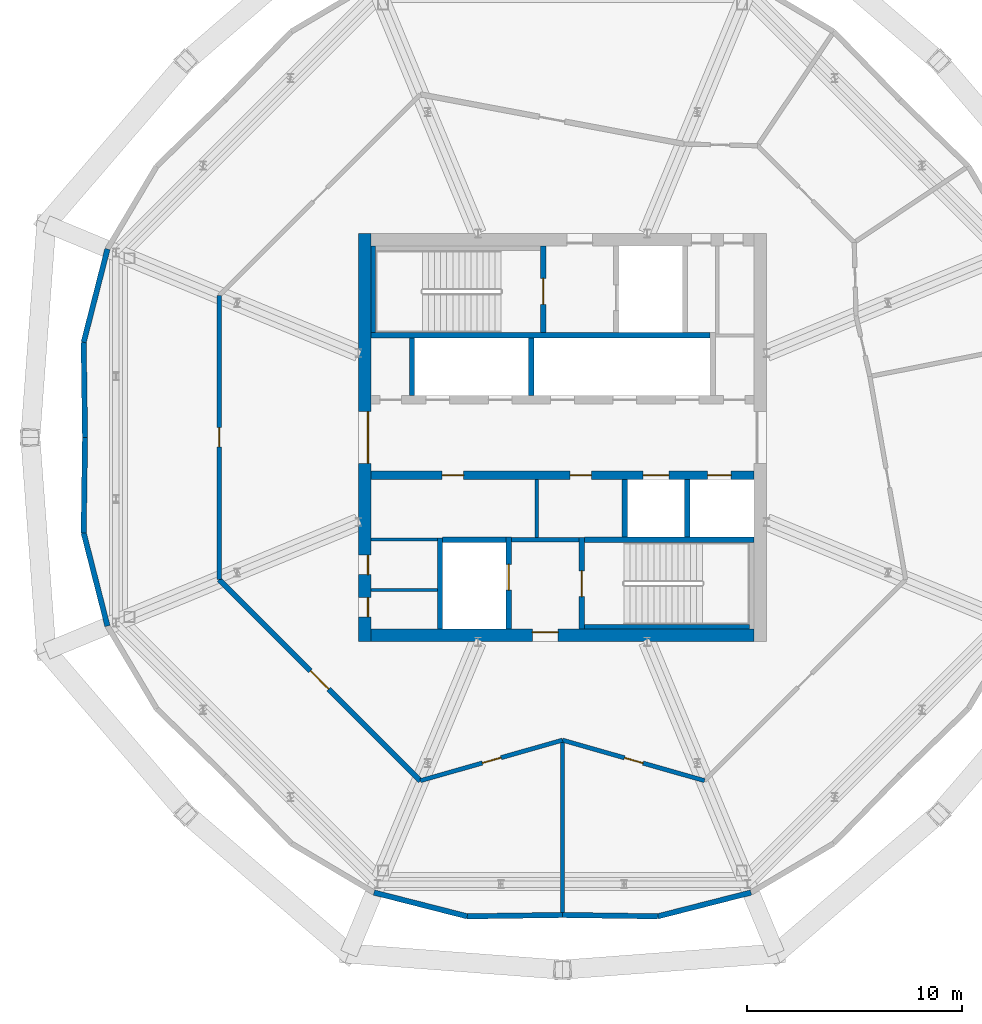
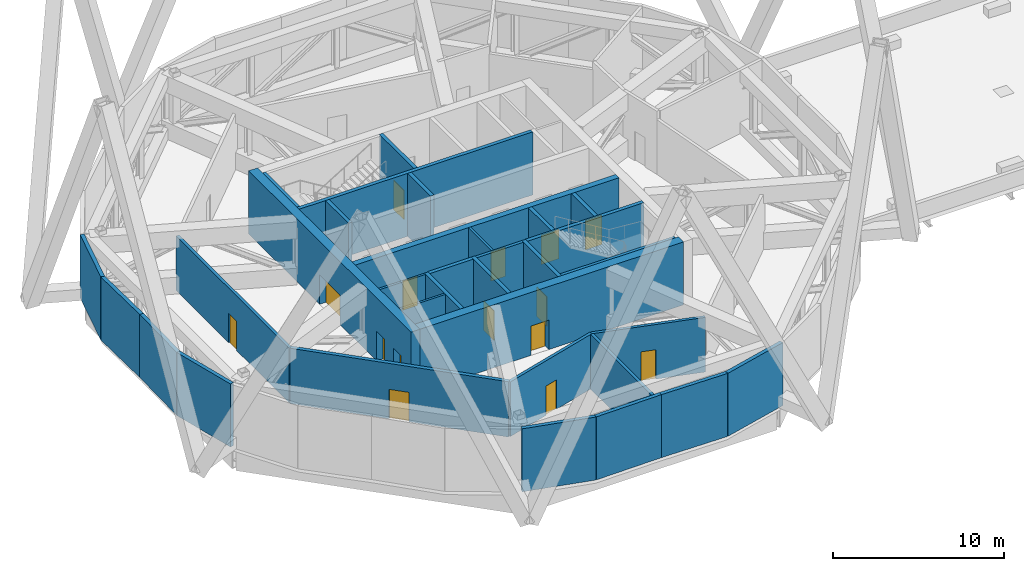
# One storey, part 12 of 20: 33 walls, 15 doors, 15 openings.
"""IFC4 building model written with IfcOpenShell, lengths in metres."""

from ifc_helpers import new_model, si_unit, direction, frame, frame_2d, origin, place, context, subcontext, project, spatial, rectangle, extrude, material, layer, layer_set, type_object, element, fill, save


model = new_model("IFC4")

# Units and contexts
model_context = context("Model", 3, precision=1e-05, world=origin(), true_north=direction((0.0, 1.0)))
body_context = subcontext(model_context, "Body", "Model", "MODEL_VIEW")
ifc_project = project(units=[si_unit("LENGTHUNIT", "METRE"), si_unit("AREAUNIT", "SQUARE_METRE"), si_unit("VOLUMEUNIT", "CUBIC_METRE"), si_unit("PLANEANGLEUNIT", "RADIAN"), si_unit("MASSUNIT", "GRAM", prefix="KILO")], contexts=[model_context])

# Site, building, storey
site_placement = place(None, origin())
site = spatial("IfcSite", under=ifc_project, at=site_placement, CompositionType="ELEMENT")
building_placement = place(site_placement, origin())
building = spatial("IfcBuilding", under=site, at=building_placement, Name="Ogive Gate Towers", CompositionType="ELEMENT")
storey_placement = place(building_placement, frame((0.0, 0.0, 160.800048828125)))
storey = spatial("IfcBuildingStorey", under=building, at=storey_placement, Name="L38", CompositionType="ELEMENT", Elevation=160.800048828125)

# Walls
ifc_material_1 = material(Name="Masonry blockwork", Category="masonry")
ifc_layer_1 = layer(ifc_material_1, 0.199951171875)
ifc_layer_set_1 = layer_set([ifc_layer_1], Name="Blockwork wall 200 mm")
wall_type_1 = type_object("IfcWallType", Name="Blockwork wall 200 mm", PredefinedType="PARTITIONING", material=ifc_layer_set_1)
wall_1_placement = place(storey_placement, frame((-38.375, -4.75, 0.0), z_axis=(0.0, 0.0, 1.0), x_axis=(1.0, 0.0, 0.0)))
element("IfcWall", 1, at=wall_1_placement, inside=storey, type_object=wall_type_1, Name="T1 L38 Blockwork wall 200 mm", PredefinedType="PARTITIONING", context=body_context, shape_type="SweptSolid", body=[
    extrude(rectangle(XDim=3.14990234375, YDim=0.199951171875, at=frame_2d((1.574951171875, 0.0))), origin(), (0.0, 0.0, 1.0), 4.5),
])
ifc_material_2 = material(Name="Fire-rated block compartment wall")
ifc_layer_2 = layer(ifc_material_2, 0.199951171875)
ifc_layer_set_2 = layer_set([ifc_layer_2], Name="Compartment wall 200")
wall_type_2 = type_object("IfcWallType", Name="Compartment wall 200", PredefinedType="PARTITIONING", material=ifc_layer_set_2)
wall_2_placement = place(storey_placement, frame((-36.0, -22.239013671875, 0.0), z_axis=(0.0, 0.0, 1.0), x_axis=(0.0, 1.0, 0.0)))
element("IfcWall", 2, at=wall_2_placement, inside=storey, type_object=wall_type_2, Name="Partition T1-L38-004", PredefinedType="PARTITIONING", context=body_context, shape_type="SweptSolid", body=[
    extrude(rectangle(XDim=8.05908203125, YDim=0.199951171875, at=frame_2d((4.029541015625, 0.0))), origin(), (0.0, 0.0, 1.0), 3.89990234375),
])

# Wall, opening, door
wall_3_placement = place(storey_placement, frame((-51.965576171875, 6.613037109375, 0.0), z_axis=(0.0, 0.0, 1.0), x_axis=(0.0, -1.0, 0.0)))
wall_3 = element("IfcWall", 3, at=wall_3_placement, inside=storey, type_object=wall_type_2, Name="Partition T1-L38-009", PredefinedType="PARTITIONING", context=body_context, shape_type="SweptSolid", body=[
    extrude(rectangle(XDim=13.22607421875, YDim=0.199951171875, at=frame_2d((6.613037109375, 0.0))), origin(), (0.0, 0.0, 1.0), 3.89990234375),
])
opening_1_placement = place(wall_3_placement, frame((6.14990234375, 0.0, 0.0)))
opening_1 = element("IfcOpeningElement", 4, at=opening_1_placement, cuts=wall_3, Name="Opening T1-L38-D05", PredefinedType="OPENING", context=body_context, shape_type="SweptSolid", body=[
    extrude(rectangle(XDim=0.89990234375, YDim=2.10009765625, at=frame_2d((0.449951171875, 1.050048828125))), frame((0.0, 0.10986328125, 0.0), z_axis=(0.0, -1.0, 0.0), x_axis=(1.0, 0.0, 0.0)), (0.0, 0.0, 1.0), 0.219970703125),
])
ifc_material_3 = material(Name="Steel fire door", Category="steel")
door_type_1 = type_object("IfcDoorType", Name="Fire door 900 FD30S", OperationType="NOTDEFINED", PredefinedType="DOOR", material=ifc_material_3)
door_1_placement = place(opening_1_placement, origin())
door_1 = element("IfcDoor", 5, at=door_1_placement, inside=storey, type_object=door_type_1, Name="Door T1-L38-D05", OperationType="SINGLE_SWING_LEFT", OverallHeight=2.10009765625, OverallWidth=0.89990234375, PredefinedType="DOOR", context=body_context, shape_type="SweptSolid", body=[
    extrude(rectangle(XDim=0.89990234375, YDim=2.10009765625, at=frame_2d((0.449951171875, 1.050048828125))), frame((0.0, 0.02490234375, 0.0), z_axis=(0.0, -1.0, 0.0), x_axis=(1.0, 0.0, 0.0)), (0.0, 0.0, 1.0), 0.050048828125),
])
fill(opening_1, door_1)

wall_4_placement = place(storey_placement, frame((-42.613037109375, -15.965576171875, 0.0), z_axis=(0.0, 0.0, 1.0), x_axis=(0.961675192649, 0.274191217663, 0.0)))
wall_4 = element("IfcWall", 6, at=wall_4_placement, inside=storey, type_object=wall_type_2, Name="Partition T1-L38-011", PredefinedType="PARTITIONING", context=body_context, shape_type="SweptSolid", body=[
    extrude(rectangle(XDim=6.87646484375, YDim=0.199951171875, at=frame_2d((3.438232421875, 0.0))), origin(), (0.0, 0.0, 1.0), 3.89990234375),
])
opening_2_placement = place(wall_4_placement, frame((3.0, 0.0, 0.0)))
opening_2 = element("IfcOpeningElement", 7, at=opening_2_placement, cuts=wall_4, Name="Opening T1-L38-D07", PredefinedType="OPENING", context=body_context, shape_type="SweptSolid", body=[
    extrude(rectangle(XDim=0.89990234375, YDim=2.10009765625, at=frame_2d((0.449951171875, 1.050048828125))), frame((0.0, 0.10986328125, 0.0), z_axis=(0.0, -1.0, 0.0), x_axis=(1.0, 0.0, 0.0)), (0.0, 0.0, 1.0), 0.219970703125),
])
door_2_placement = place(opening_2_placement, origin())
door_2 = element("IfcDoor", 8, at=door_2_placement, inside=storey, type_object=door_type_1, Name="Door T1-L38-D07", OperationType="SINGLE_SWING_RIGHT", OverallHeight=2.10009765625, OverallWidth=0.89990234375, PredefinedType="DOOR", context=body_context, shape_type="SweptSolid", body=[
    extrude(rectangle(XDim=0.89990234375, YDim=2.10009765625, at=frame_2d((0.449951171875, 1.050048828125))), frame((0.0, 0.02490234375, 0.0), z_axis=(0.0, -1.0, 0.0), x_axis=(1.0, 0.0, 0.0)), (0.0, 0.0, 1.0), 0.050048828125),
])
fill(opening_2, door_2)

wall_5_placement = place(storey_placement, frame((-36.0, -14.080078125, 0.0), z_axis=(0.0, 0.0, 1.0), x_axis=(0.961675192649, -0.274191217663, 0.0)))
wall_5 = element("IfcWall", 9, at=wall_5_placement, inside=storey, type_object=wall_type_2, Name="Partition T1-L38-012", PredefinedType="PARTITIONING", context=body_context, shape_type="SweptSolid", body=[
    extrude(rectangle(XDim=6.87646484375, YDim=0.199951171875, at=frame_2d((3.438232421875, 0.0))), origin(), (0.0, 0.0, 1.0), 3.89990234375),
])
opening_3_placement = place(wall_5_placement, frame((3.0, 0.0, 0.0)))
opening_3 = element("IfcOpeningElement", 10, at=opening_3_placement, cuts=wall_5, Name="Opening T1-L38-D08", PredefinedType="OPENING", context=body_context, shape_type="SweptSolid", body=[
    extrude(rectangle(XDim=0.89990234375, YDim=2.10009765625, at=frame_2d((0.449951171875, 1.050048828125))), frame((0.0, 0.10986328125, 0.0), z_axis=(0.0, -1.0, 0.0), x_axis=(1.0, 0.0, 0.0)), (0.0, 0.0, 1.0), 0.219970703125),
])
door_3_placement = place(opening_3_placement, origin())
door_3 = element("IfcDoor", 11, at=door_3_placement, inside=storey, type_object=door_type_1, Name="Door T1-L38-D08", OperationType="SINGLE_SWING_LEFT", OverallHeight=2.10009765625, OverallWidth=0.89990234375, PredefinedType="DOOR", context=body_context, shape_type="SweptSolid", body=[
    extrude(rectangle(XDim=0.89990234375, YDim=2.10009765625, at=frame_2d((0.449951171875, 1.050048828125))), frame((0.0, 0.02490234375, 0.0), z_axis=(0.0, -1.0, 0.0), x_axis=(1.0, 0.0, 0.0)), (0.0, 0.0, 1.0), 0.050048828125),
])
fill(opening_3, door_3)

ifc_material_4 = material(Name="Concrete C60/75", Category="concrete")
ifc_layer_3 = layer(ifc_material_4, 0.60009765625)
ifc_layer_set_3 = layer_set([ifc_layer_3], Name="Core wall 600 mm")
wall_type_3 = type_object("IfcWallType", Name="Core wall 600 mm", PredefinedType="SHEAR", material=ifc_layer_set_3)
wall_6_placement = place(storey_placement, frame((-44.89990234375, -9.199951171875, 0.0), z_axis=(0.0, 0.0, 1.0), x_axis=(1.0, 0.0, 0.0)))
wall_6 = element("IfcWall", 12, at=wall_6_placement, inside=storey, type_object=wall_type_3, Name="T1 L38 Core wall 600 mm", PredefinedType="SHEAR", context=body_context, shape_type="SweptSolid", body=[
    extrude(rectangle(XDim=17.7998046875, YDim=0.60009765625, at=frame_2d((8.89990234375, 0.0))), origin(), (0.0, 0.0, 1.0), 4.5),
])
opening_4_placement = place(wall_6_placement, frame((7.5, 0.0, 0.0)))
opening_4 = element("IfcOpeningElement", 13, at=opening_4_placement, cuts=wall_6, Name="Opening KD-T1-L38-19", PredefinedType="OPENING", context=body_context, shape_type="SweptSolid", body=[
    extrude(rectangle(XDim=1.199951171875, YDim=2.10009765625, at=frame_2d((0.60009765625, 1.050048828125))), frame((0.0, 0.31005859375, 0.0), z_axis=(0.0, -1.0, 0.0), x_axis=(1.0, 0.0, 0.0)), (0.0, 0.0, 1.0), 0.6201171875),
])
door_type_2 = type_object("IfcDoorType", Name="Core door FD60S 1200 x 2100", OperationType="NOTDEFINED", PredefinedType="DOOR", material=ifc_material_3)
door_4_placement = place(opening_4_placement, origin())
door_4 = element("IfcDoor", 14, at=door_4_placement, inside=storey, type_object=door_type_2, Name="T1 L38 Fire-fighting lobby door", OperationType="SINGLE_SWING_RIGHT", OverallHeight=2.10009765625, OverallWidth=1.199951171875, PredefinedType="DOOR", context=body_context, shape_type="SweptSolid", body=[
    extrude(rectangle(XDim=1.199951171875, YDim=2.10009765625, at=frame_2d((0.60009765625, 1.050048828125))), frame((0.0, 0.1748046875, 0.0), z_axis=(0.0, -1.0, 0.0), x_axis=(1.0, 0.0, 0.0)), (0.0, 0.0, 1.0), 0.050048828125),
])
fill(opening_4, door_4)

# Wall, openings, doors
wall_7_placement = place(storey_placement, frame((-45.199951171875, -9.5, 0.0), z_axis=(0.0, 0.0, 1.0), x_axis=(0.0, 1.0, 0.0)))
wall_7 = element("IfcWall", 15, at=wall_7_placement, inside=storey, type_object=wall_type_3, Name="T1 L38 Core wall 600 mm", PredefinedType="SHEAR", context=body_context, shape_type="SweptSolid", body=[
    extrude(rectangle(XDim=19.0, YDim=0.60009765625, at=frame_2d((9.5, 0.0))), origin(), (0.0, 0.0, 1.0), 4.5),
])
opening_5_placement = place(wall_7_placement, frame((8.300048828125, 0.0, 0.0)))
opening_5 = element("IfcOpeningElement", 16, at=opening_5_placement, cuts=wall_7, Name="Opening KD-T1-L38-01", PredefinedType="OPENING", context=body_context, shape_type="SweptSolid", body=[
    extrude(rectangle(XDim=2.39990234375, YDim=2.10009765625, at=frame_2d((1.199951171875, 1.050048828125))), frame((0.0, 0.31005859375, 0.0), z_axis=(0.0, -1.0, 0.0), x_axis=(1.0, 0.0, 0.0)), (0.0, 0.0, 1.0), 0.6201171875),
])
opening_6_placement = place(wall_7_placement, frame((1.14990234375, 0.0, 0.0)))
opening_6 = element("IfcOpeningElement", 17, at=opening_6_placement, cuts=wall_7, Name="Opening KD-T1-L38-22", PredefinedType="OPENING", context=body_context, shape_type="SweptSolid", body=[
    extrude(rectangle(XDim=0.89990234375, YDim=2.10009765625, at=frame_2d((0.449951171875, 1.050048828125))), frame((0.0, 0.31005859375, 0.0), z_axis=(0.0, -1.0, 0.0), x_axis=(1.0, 0.0, 0.0)), (0.0, 0.0, 1.0), 0.6201171875),
])
opening_7_placement = place(wall_7_placement, frame((3.125, 0.0, 0.0)))
opening_7 = element("IfcOpeningElement", 18, at=opening_7_placement, cuts=wall_7, Name="Opening KD-T1-L38-23", PredefinedType="OPENING", context=body_context, shape_type="SweptSolid", body=[
    extrude(rectangle(XDim=0.89990234375, YDim=2.10009765625, at=frame_2d((0.449951171875, 1.050048828125))), frame((0.0, 0.31005859375, 0.0), z_axis=(0.0, -1.0, 0.0), x_axis=(1.0, 0.0, 0.0)), (0.0, 0.0, 1.0), 0.6201171875),
])
door_type_3 = type_object("IfcDoorType", Name="Core door FD60S 900 x 2100", OperationType="NOTDEFINED", PredefinedType="DOOR", material=ifc_material_3)
door_5_placement = place(opening_6_placement, origin())
door_5 = element("IfcDoor", 19, at=door_5_placement, inside=storey, type_object=door_type_3, Name="T1 L38 Core door", OperationType="SINGLE_SWING_LEFT", OverallHeight=2.10009765625, OverallWidth=0.89990234375, PredefinedType="DOOR", context=body_context, shape_type="SweptSolid", body=[
    extrude(rectangle(XDim=0.89990234375, YDim=2.10009765625, at=frame_2d((0.449951171875, 1.050048828125))), frame((0.0, -0.125, 0.0), z_axis=(0.0, -1.0, 0.0), x_axis=(1.0, 0.0, 0.0)), (0.0, 0.0, 1.0), 0.050048828125),
])
fill(opening_6, door_5)
door_6_placement = place(opening_7_placement, origin())
door_6 = element("IfcDoor", 20, at=door_6_placement, inside=storey, type_object=door_type_3, Name="T1 L38 Core door", OperationType="SINGLE_SWING_RIGHT", OverallHeight=2.10009765625, OverallWidth=0.89990234375, PredefinedType="DOOR", context=body_context, shape_type="SweptSolid", body=[
    extrude(rectangle(XDim=0.89990234375, YDim=2.10009765625, at=frame_2d((0.449951171875, 1.050048828125))), frame((0.0, -0.125, 0.0), z_axis=(0.0, -1.0, 0.0), x_axis=(1.0, 0.0, 0.0)), (0.0, 0.0, 1.0), 0.050048828125),
])
fill(opening_7, door_6)
door_type_4 = type_object("IfcDoorType", Name="Core double door FD60S 2400 x 2100", OperationType="DOUBLE_DOOR_SINGLE_SWING", PredefinedType="DOOR", material=ifc_material_3)
door_7_placement = place(opening_5_placement, origin())
door_7 = element("IfcDoor", 21, at=door_7_placement, inside=storey, type_object=door_type_4, Name="T1 L38 Core door double", OperationType="DOUBLE_DOOR_SINGLE_SWING", OverallHeight=2.10009765625, OverallWidth=2.39990234375, PredefinedType="DOOR", context=body_context, shape_type="SweptSolid", body=[
    extrude(rectangle(XDim=2.39990234375, YDim=2.10009765625, at=frame_2d((1.199951171875, 1.050048828125))), frame((0.0, -0.125, 0.0), z_axis=(0.0, -1.0, 0.0), x_axis=(1.0, 0.0, 0.0)), (0.0, 0.0, 1.0), 0.050048828125),
])
fill(opening_5, door_7)

# Walls
ifc_material_5 = material(Name="Pale metal aluminium louvre", Category="aluminium")
ifc_layer_4 = layer(ifc_material_5, 0.25)
ifc_layer_set_4 = layer_set([ifc_layer_4], Name="Plant louvre wall")
wall_type_4 = type_object("IfcWallType", Name="Plant louvre wall", PredefinedType="SOLIDWALL", material=ifc_layer_set_4)
wall_8_placement = place(storey_placement, frame((-57.17041015625, 8.76904296875, 0.0), z_axis=(0.0, 0.0, 1.0), x_axis=(-0.247526000192, -0.968881251356, 0.0)))
element("IfcWall", 22, at=wall_8_placement, inside=storey, type_object=wall_type_4, Name="Plant louvre wall", PredefinedType="SOLIDWALL", context=body_context, shape_type="SweptSolid", body=[
    extrude(rectangle(XDim=4.474853515625, YDim=0.25, at=frame_2d((2.2373046875, 0.0))), origin(), (0.0, 0.0, 1.0), 4.5),
])
for number, where, z_axis, x_axis, name in (
    (23, (-58.278076171875, 4.433349609375, 0.0), (0.0, 0.0, 1.0), (0.014206397031, -0.99989908405, 0.0), "Plant louvre wall"),
    (24, (-58.215087890625, 0.0, 0.0), (0.0, 0.0, 1.0), (-0.014206397031, -0.99989908405, 0.0), "Plant louvre wall"),
):
    element("IfcWall", number, at=place(storey_placement, frame(where, z_axis=z_axis, x_axis=x_axis)), inside=storey, type_object=wall_type_4, Name=name, PredefinedType="SOLIDWALL", context=body_context, shape_type="SweptSolid", body=[
        extrude(rectangle(XDim=4.433837890625, YDim=0.25, at=frame_2d((2.216796875, 0.0))), origin(), (0.0, 0.0, 1.0), 4.5),
    ])
for number, where, z_axis, x_axis, name in (
    (25, (-58.278076171875, -4.433349609375, 0.0), (0.0, 0.0, 1.0), (0.247526000192, -0.968881251356, 0.0), "Plant louvre wall"),
    (26, (-44.76904296875, -21.17041015625, 0.0), (0.0, 0.0, 1.0), (0.968881251356, -0.247526000192, 0.0), "Plant louvre wall"),
):
    element("IfcWall", number, at=place(storey_placement, frame(where, z_axis=z_axis, x_axis=x_axis)), inside=storey, type_object=wall_type_4, Name=name, PredefinedType="SOLIDWALL", context=body_context, shape_type="SweptSolid", body=[
        extrude(rectangle(XDim=4.474853515625, YDim=0.25, at=frame_2d((2.2373046875, 0.0))), origin(), (0.0, 0.0, 1.0), 4.5),
    ])
for number, where, z_axis, x_axis, name in (
    (27, (-40.433349609375, -22.278076171875, 0.0), (0.0, 0.0, 1.0), (0.99989908405, 0.014206397031, 0.0), "Plant louvre wall"),
    (28, (-36.0, -22.215087890625, 0.0), (0.0, 0.0, 1.0), (0.99989908405, -0.014206397031, 0.0), "Plant louvre wall"),
):
    element("IfcWall", number, at=place(storey_placement, frame(where, z_axis=z_axis, x_axis=x_axis)), inside=storey, type_object=wall_type_4, Name=name, PredefinedType="SOLIDWALL", context=body_context, shape_type="SweptSolid", body=[
        extrude(rectangle(XDim=4.433837890625, YDim=0.25, at=frame_2d((2.216796875, 0.0))), origin(), (0.0, 0.0, 1.0), 4.5),
    ])
wall_9_placement = place(storey_placement, frame((-31.566650390625, -22.278076171875, 0.0), z_axis=(0.0, 0.0, 1.0), x_axis=(0.968881251356, 0.247526000192, 0.0)))
element("IfcWall", 29, at=wall_9_placement, inside=storey, type_object=wall_type_4, Name="Plant louvre wall", PredefinedType="SOLIDWALL", context=body_context, shape_type="SweptSolid", body=[
    extrude(rectangle(XDim=4.474853515625, YDim=0.25, at=frame_2d((2.2373046875, 0.0))), origin(), (0.0, 0.0, 1.0), 4.5),
])

# Wall, opening, door
ifc_material_6 = material(Name="Fire-rated concrete block wall", Category="concrete")
ifc_layer_5 = layer(ifc_material_6, 0.25)
ifc_layer_set_5 = layer_set([ifc_layer_5], Name="Refuge compartment wall 250")
wall_type_5 = type_object("IfcWallType", Name="Refuge compartment wall 250", PredefinedType="PARTITIONING", material=ifc_layer_set_5)
wall_10_placement = place(storey_placement, frame((-51.965576171875, -6.613037109375, 0.0), z_axis=(0.0, 0.0, 1.0), x_axis=(0.707106781187, -0.707106781187, 0.0)))
wall_10 = element("IfcWall", 30, at=wall_10_placement, inside=storey, type_object=wall_type_5, Name="Partition T1-L38-010", PredefinedType="PARTITIONING", context=body_context, shape_type="SweptSolid", body=[
    extrude(rectangle(XDim=13.2265625, YDim=0.25, at=frame_2d((6.61328125, 0.0))), origin(), (0.0, 0.0, 1.0), 3.949951171875),
])
opening_8_placement = place(wall_10_placement, frame((6.0, 0.0, 0.0)))
opening_8 = element("IfcOpeningElement", 31, at=opening_8_placement, cuts=wall_10, Name="Opening T1-L38-D06", PredefinedType="OPENING", context=body_context, shape_type="SweptSolid", body=[
    extrude(rectangle(XDim=1.199951171875, YDim=2.10009765625, at=frame_2d((0.60009765625, 1.050048828125))), frame((0.0, 0.135009765625, 0.0), z_axis=(0.0, -1.0, 0.0), x_axis=(1.0, 0.0, 0.0)), (0.0, 0.0, 1.0), 0.27001953125),
])
door_type_5 = type_object("IfcDoorType", Name="Fire door 1200 FD60S", OperationType="NOTDEFINED", PredefinedType="DOOR", material=ifc_material_3)
door_8_placement = place(opening_8_placement, origin())
door_8 = element("IfcDoor", 32, at=door_8_placement, inside=storey, type_object=door_type_5, Name="Door T1-L38-D06", OperationType="SINGLE_SWING_RIGHT", OverallHeight=2.10009765625, OverallWidth=1.199951171875, PredefinedType="DOOR", context=body_context, shape_type="SweptSolid", body=[
    extrude(rectangle(XDim=1.199951171875, YDim=2.10009765625, at=frame_2d((0.60009765625, 1.050048828125))), frame((0.0, 0.02490234375, 0.0), z_axis=(0.0, -1.0, 0.0), x_axis=(1.0, 0.0, 0.0)), (0.0, 0.0, 1.0), 0.050048828125),
])
fill(opening_8, door_8)

# Walls
ifc_material_7 = material(Name="Gypsum board partition")
ifc_layer_6 = layer(ifc_material_7, 0.14990234375)
ifc_layer_set_6 = layer_set([ifc_layer_6], Name="Room partition 150 mm")
wall_type_6 = type_object("IfcWallType", Name="Room partition 150 mm", PredefinedType="PARTITIONING", material=ifc_layer_set_6)
for number, where, z_axis, x_axis, name in (
    (33, (-44.89990234375, -7.10009765625, 0.0), (0.0, 0.0, 1.0), (1.0, 0.0, 0.0), "T1 L38 Room partition 150 mm"),
    (34, (-44.89990234375, -4.75, 0.0), (0.0, 0.0, 1.0), (1.0, 0.0, 0.0), "T1 L38 Room partition 150 mm"),
):
    element("IfcWall", number, at=place(storey_placement, frame(where, z_axis=z_axis, x_axis=x_axis)), inside=storey, type_object=wall_type_6, Name=name, PredefinedType="PARTITIONING", context=body_context, shape_type="SweptSolid", body=[
        extrude(rectangle(XDim=3.074951171875, YDim=0.14990234375, at=frame_2d((1.53759765625, 0.0))), origin(), (0.0, 0.0, 1.0), 4.5),
    ])
wall_11_placement = place(storey_placement, frame((-37.199951171875, -4.64990234375, 0.0), z_axis=(0.0, 0.0, 1.0), x_axis=(0.0, 1.0, 0.0)))
element("IfcWall", 35, at=wall_11_placement, inside=storey, type_object=wall_type_6, Name="T1 L38 Room partition 150 mm", PredefinedType="PARTITIONING", context=body_context, shape_type="SweptSolid", body=[
    extrude(rectangle(XDim=2.699951171875, YDim=0.14990234375, at=frame_2d((1.35009765625, 0.0))), origin(), (0.0, 0.0, 1.0), 4.5),
])
ifc_layer_7 = layer(ifc_material_4, 0.25)
ifc_layer_set_7 = layer_set([ifc_layer_7], Name="Shaft wall 250 mm")
wall_type_7 = type_object("IfcWallType", Name="Shaft wall 250 mm", PredefinedType="SHEAR", material=ifc_layer_set_7)
wall_12_placement = place(storey_placement, frame((-41.574951171875, -4.75, 0.0), z_axis=(0.0, 0.0, 1.0), x_axis=(1.0, 0.0, 0.0)))
element("IfcWall", 36, at=wall_12_placement, inside=storey, type_object=wall_type_7, Name="T1 L38 Shaft wall 250 mm", PredefinedType="SHEAR", context=body_context, shape_type="SweptSolid", body=[
    extrude(rectangle(XDim=2.949951171875, YDim=0.25, at=frame_2d((1.47509765625, 0.0))), origin(), (0.0, 0.0, 1.0), 4.5),
])
wall_13_placement = place(storey_placement, frame((-34.97509765625, -4.75, 0.0), z_axis=(0.0, 0.0, 1.0), x_axis=(1.0, 0.0, 0.0)))
element("IfcWall", 37, at=wall_13_placement, inside=storey, type_object=wall_type_7, Name="T1 L38 Shaft wall 250 mm", PredefinedType="SHEAR", context=body_context, shape_type="SweptSolid", body=[
    extrude(rectangle(XDim=7.875, YDim=0.25, at=frame_2d((3.9375, 0.0))), origin(), (0.0, 0.0, 1.0), 4.5),
])
wall_14_placement = place(storey_placement, frame((-44.89990234375, 4.75, 0.0), z_axis=(0.0, 0.0, 1.0), x_axis=(1.0, 0.0, 0.0)))
element("IfcWall", 38, at=wall_14_placement, inside=storey, type_object=wall_type_7, Name="T1 L38 Shaft wall 250 mm", PredefinedType="SHEAR", context=body_context, shape_type="SweptSolid", body=[
    extrude(rectangle(XDim=15.77490234375, YDim=0.25, at=frame_2d((7.887451171875, 0.0))), origin(), (0.0, 0.0, 1.0), 4.5),
])
wall_15_placement = place(storey_placement, frame((-43.0, 1.949951171875, 0.0), z_axis=(0.0, 0.0, 1.0), x_axis=(0.0, 1.0, 0.0)))
element("IfcWall", 39, at=wall_15_placement, inside=storey, type_object=wall_type_7, Name="T1 L38 Shaft wall 250 mm", PredefinedType="SHEAR", context=body_context, shape_type="SweptSolid", body=[
    extrude(rectangle(XDim=2.675048828125, YDim=0.25, at=frame_2d((1.33740234375, 0.0))), origin(), (0.0, 0.0, 1.0), 4.5),
])
wall_16_placement = place(storey_placement, frame((-41.699951171875, -8.89990234375, 0.0), z_axis=(0.0, 0.0, 1.0), x_axis=(0.0, 1.0, 0.0)))
element("IfcWall", 40, at=wall_16_placement, inside=storey, type_object=wall_type_7, Name="T1 L38 Shaft wall 250 mm", PredefinedType="SHEAR", context=body_context, shape_type="SweptSolid", body=[
    extrude(rectangle(XDim=4.224853515625, YDim=0.25, at=frame_2d((2.1123046875, 0.0))), origin(), (0.0, 0.0, 1.0), 4.5),
])

# Wall, opening, door
wall_17_placement = place(storey_placement, frame((-38.5, -8.89990234375, 0.0), z_axis=(0.0, 0.0, 1.0), x_axis=(0.0, 1.0, 0.0)))
wall_17 = element("IfcWall", 41, at=wall_17_placement, inside=storey, type_object=wall_type_7, Name="T1 L38 Shaft wall 250 mm", PredefinedType="SHEAR", context=body_context, shape_type="SweptSolid", body=[
    extrude(rectangle(XDim=4.27490234375, YDim=0.25, at=frame_2d((2.137451171875, 0.0))), origin(), (0.0, 0.0, 1.0), 4.5),
])
opening_9_placement = place(wall_17_placement, frame((1.800048828125, 0.0, 0.0)))
opening_9 = element("IfcOpeningElement", 42, at=opening_9_placement, cuts=wall_17, Name="Opening LD-T1-L38-13", PredefinedType="OPENING", context=body_context, shape_type="SweptSolid", body=[
    extrude(rectangle(XDim=1.199951171875, YDim=2.10009765625, at=frame_2d((0.60009765625, 1.050048828125))), frame((0.0, 0.135009765625, 0.0), z_axis=(0.0, -1.0, 0.0), x_axis=(1.0, 0.0, 0.0)), (0.0, 0.0, 1.0), 0.27001953125),
])
ifc_material_8 = material(Name="Stainless steel landing door", Category="steel")
door_type_6 = type_object("IfcDoorType", Name="Landing door 1200 x 2100", OperationType="SLIDING_TO_LEFT", PredefinedType="DOOR", material=ifc_material_8)
door_9_placement = place(opening_9_placement, origin())
door_9 = element("IfcDoor", 43, at=door_9_placement, inside=storey, type_object=door_type_6, Name="T1 L38 Lift landing door FF2", OperationType="SLIDING_TO_LEFT", OverallHeight=2.10009765625, OverallWidth=1.199951171875, PredefinedType="DOOR", context=body_context, shape_type="SweptSolid", body=[
    extrude(rectangle(XDim=1.199951171875, YDim=2.10009765625, at=frame_2d((0.60009765625, 1.050048828125))), frame((0.0, 0.02490234375, 0.0), z_axis=(0.0, -1.0, 0.0), x_axis=(1.0, 0.0, 0.0)), (0.0, 0.0, 1.0), 0.050048828125),
])
fill(opening_9, door_9)

# Wall
wall_18_placement = place(storey_placement, frame((-37.449951171875, 1.949951171875, 0.0), z_axis=(0.0, 0.0, 1.0), x_axis=(0.0, 1.0, 0.0)))
element("IfcWall", 44, at=wall_18_placement, inside=storey, type_object=wall_type_7, Name="T1 L38 Shaft wall 250 mm", PredefinedType="SHEAR", context=body_context, shape_type="SweptSolid", body=[
    extrude(rectangle(XDim=2.675048828125, YDim=0.25, at=frame_2d((1.33740234375, 0.0))), origin(), (0.0, 0.0, 1.0), 4.5),
])

# Wall, opening, door
wall_19_placement = place(storey_placement, frame((-36.89990234375, 4.875, 0.0), z_axis=(0.0, 0.0, 1.0), x_axis=(0.0, 1.0, 0.0)))
wall_19 = element("IfcWall", 45, at=wall_19_placement, inside=storey, type_object=wall_type_7, Name="T1 L38 Shaft wall 250 mm", PredefinedType="SHEAR", context=body_context, shape_type="SweptSolid", body=[
    extrude(rectangle(XDim=4.02490234375, YDim=0.25, at=frame_2d((2.012451171875, 0.0))), origin(), (0.0, 0.0, 1.0), 4.5),
])
opening_10_placement = place(wall_19_placement, frame((1.324951171875, 0.0, 0.0)))
opening_10 = element("IfcOpeningElement", 46, at=opening_10_placement, cuts=wall_19, Name="Opening KD-T1-L38-16", PredefinedType="OPENING", context=body_context, shape_type="SweptSolid", body=[
    extrude(rectangle(XDim=1.199951171875, YDim=2.10009765625, at=frame_2d((0.60009765625, 1.050048828125))), frame((0.0, 0.135009765625, 0.0), z_axis=(0.0, -1.0, 0.0), x_axis=(1.0, 0.0, 0.0)), (0.0, 0.0, 1.0), 0.27001953125),
])
door_10_placement = place(opening_10_placement, origin())
door_10 = element("IfcDoor", 47, at=door_10_placement, inside=storey, type_object=door_type_2, Name="T1 L38 Stair door", OperationType="SINGLE_SWING_LEFT", OverallHeight=2.10009765625, OverallWidth=1.199951171875, PredefinedType="DOOR", context=body_context, shape_type="SweptSolid", body=[
    extrude(rectangle(XDim=1.199951171875, YDim=2.10009765625, at=frame_2d((0.60009765625, 1.050048828125))), frame((0.0, 0.02490234375, 0.0), z_axis=(0.0, -1.0, 0.0), x_axis=(1.0, 0.0, 0.0)), (0.0, 0.0, 1.0), 0.050048828125),
])
fill(opening_10, door_10)

wall_20_placement = place(storey_placement, frame((-35.10009765625, -8.89990234375, 0.0), z_axis=(0.0, 0.0, 1.0), x_axis=(0.0, 1.0, 0.0)))
wall_20 = element("IfcWall", 48, at=wall_20_placement, inside=storey, type_object=wall_type_7, Name="T1 L38 Shaft wall 250 mm", PredefinedType="SHEAR", context=body_context, shape_type="SweptSolid", body=[
    extrude(rectangle(XDim=4.25, YDim=0.25, at=frame_2d((2.125, 0.0))), origin(), (0.0, 0.0, 1.0), 4.5),
])
opening_11_placement = place(wall_20_placement, frame((1.5, 0.0, 0.0)))
opening_11 = element("IfcOpeningElement", 49, at=opening_11_placement, cuts=wall_20, Name="Opening KD-T1-L38-17", PredefinedType="OPENING", context=body_context, shape_type="SweptSolid", body=[
    extrude(rectangle(XDim=1.199951171875, YDim=2.10009765625, at=frame_2d((0.60009765625, 1.050048828125))), frame((0.0, 0.135009765625, 0.0), z_axis=(0.0, -1.0, 0.0), x_axis=(1.0, 0.0, 0.0)), (0.0, 0.0, 1.0), 0.27001953125),
])
door_11_placement = place(opening_11_placement, origin())
door_11 = element("IfcDoor", 50, at=door_11_placement, inside=storey, type_object=door_type_2, Name="T1 L38 Stair door", OperationType="SINGLE_SWING_RIGHT", OverallHeight=2.10009765625, OverallWidth=1.199951171875, PredefinedType="DOOR", context=body_context, shape_type="SweptSolid", body=[
    extrude(rectangle(XDim=1.199951171875, YDim=2.10009765625, at=frame_2d((0.60009765625, 1.050048828125))), frame((0.0, 0.02490234375, 0.0), z_axis=(0.0, -1.0, 0.0), x_axis=(1.0, 0.0, 0.0)), (0.0, 0.0, 1.0), 0.050048828125),
])
fill(opening_11, door_11)

# Walls
for number, where, z_axis, x_axis, name in (
    (51, (-33.10009765625, -4.625, 0.0), (0.0, 0.0, 1.0), (0.0, 1.0, 0.0), "T1 L38 Shaft wall 250 mm"),
    (52, (-30.199951171875, -4.625, 0.0), (0.0, 0.0, 1.0), (0.0, 1.0, 0.0), "T1 L38 Shaft wall 250 mm"),
):
    element("IfcWall", number, at=place(storey_placement, frame(where, z_axis=z_axis, x_axis=x_axis)), inside=storey, type_object=wall_type_7, Name=name, PredefinedType="SHEAR", context=body_context, shape_type="SweptSolid", body=[
        extrude(rectangle(XDim=2.675048828125, YDim=0.25, at=frame_2d((1.33740234375, 0.0))), origin(), (0.0, 0.0, 1.0), 4.5),
    ])

# Wall, openings, doors
ifc_layer_8 = layer(ifc_material_4, 0.39990234375)
ifc_layer_set_8 = layer_set([ifc_layer_8], Name="Spine wall 400 mm")
wall_type_8 = type_object("IfcWallType", Name="Spine wall 400 mm", PredefinedType="SHEAR", material=ifc_layer_set_8)
wall_21_placement = place(storey_placement, frame((-44.89990234375, -1.75, 0.0), z_axis=(0.0, 0.0, 1.0), x_axis=(1.0, 0.0, 0.0)))
wall_21 = element("IfcWall", 53, at=wall_21_placement, inside=storey, type_object=wall_type_8, Name="T1 L38 Spine wall 400 mm", PredefinedType="SHEAR", context=body_context, shape_type="SweptSolid", body=[
    extrude(rectangle(XDim=17.7998046875, YDim=0.39990234375, at=frame_2d((8.89990234375, 0.0))), origin(), (0.0, 0.0, 1.0), 4.5),
])
opening_12_placement = place(wall_21_placement, frame((12.64990234375, 0.0, 0.0)))
opening_12 = element("IfcOpeningElement", 54, at=opening_12_placement, cuts=wall_21, Name="Opening LD-T1-L38-10", PredefinedType="OPENING", context=body_context, shape_type="SweptSolid", body=[
    extrude(rectangle(XDim=1.199951171875, YDim=2.10009765625, at=frame_2d((0.60009765625, 1.050048828125))), frame((0.0, 0.2099609375, 0.0), z_axis=(0.0, -1.0, 0.0), x_axis=(1.0, 0.0, 0.0)), (0.0, 0.0, 1.0), 0.419921875),
])
opening_13_placement = place(wall_21_placement, frame((15.64990234375, 0.0, 0.0)))
opening_13 = element("IfcOpeningElement", 55, at=opening_13_placement, cuts=wall_21, Name="Opening LD-T1-L38-11", PredefinedType="OPENING", context=body_context, shape_type="SweptSolid", body=[
    extrude(rectangle(XDim=1.10009765625, YDim=2.10009765625, at=frame_2d((0.550048828125, 1.050048828125))), frame((0.0, 0.2099609375, 0.0), z_axis=(0.0, -1.0, 0.0), x_axis=(1.0, 0.0, 0.0)), (0.0, 0.0, 1.0), 0.419921875),
])
opening_14_placement = place(wall_21_placement, frame((3.300048828125, 0.0, 0.0)))
opening_14 = element("IfcOpeningElement", 56, at=opening_14_placement, cuts=wall_21, Name="Opening KD-T1-L38-14", PredefinedType="OPENING", context=body_context, shape_type="SweptSolid", body=[
    extrude(rectangle(XDim=1.0, YDim=2.10009765625, at=frame_2d((0.5, 1.050048828125))), frame((0.0, 0.2099609375, 0.0), z_axis=(0.0, -1.0, 0.0), x_axis=(1.0, 0.0, 0.0)), (0.0, 0.0, 1.0), 0.419921875),
])
opening_15_placement = place(wall_21_placement, frame((9.25, 0.0, 0.0)))
opening_15 = element("IfcOpeningElement", 57, at=opening_15_placement, cuts=wall_21, Name="Opening KD-T1-L38-15", PredefinedType="OPENING", context=body_context, shape_type="SweptSolid", body=[
    extrude(rectangle(XDim=1.0, YDim=2.10009765625, at=frame_2d((0.5, 1.050048828125))), frame((0.0, 0.2099609375, 0.0), z_axis=(0.0, -1.0, 0.0), x_axis=(1.0, 0.0, 0.0)), (0.0, 0.0, 1.0), 0.419921875),
])
door_type_7 = type_object("IfcDoorType", Name="Core door FD60S 1000 x 2100", OperationType="NOTDEFINED", PredefinedType="DOOR", material=ifc_material_3)
door_12_placement = place(opening_14_placement, origin())
door_12 = element("IfcDoor", 58, at=door_12_placement, inside=storey, type_object=door_type_7, Name="T1 L38 Core door", OperationType="SINGLE_SWING_LEFT", OverallHeight=2.10009765625, OverallWidth=1.0, PredefinedType="DOOR", context=body_context, shape_type="SweptSolid", body=[
    extrude(rectangle(XDim=1.0, YDim=2.10009765625, at=frame_2d((0.5, 1.050048828125))), frame((0.0, 0.02490234375, 0.0), z_axis=(0.0, -1.0, 0.0), x_axis=(1.0, 0.0, 0.0)), (0.0, 0.0, 1.0), 0.050048828125),
])
fill(opening_14, door_12)
door_13_placement = place(opening_15_placement, origin())
door_13 = element("IfcDoor", 59, at=door_13_placement, inside=storey, type_object=door_type_7, Name="T1 L38 Core door", OperationType="SINGLE_SWING_RIGHT", OverallHeight=2.10009765625, OverallWidth=1.0, PredefinedType="DOOR", context=body_context, shape_type="SweptSolid", body=[
    extrude(rectangle(XDim=1.0, YDim=2.10009765625, at=frame_2d((0.5, 1.050048828125))), frame((0.0, 0.02490234375, 0.0), z_axis=(0.0, -1.0, 0.0), x_axis=(1.0, 0.0, 0.0)), (0.0, 0.0, 1.0), 0.050048828125),
])
fill(opening_15, door_13)
door_type_8 = type_object("IfcDoorType", Name="Landing door 1100 x 2100", OperationType="SLIDING_TO_LEFT", PredefinedType="DOOR", material=ifc_material_8)
door_14_placement = place(opening_13_placement, origin())
door_14 = element("IfcDoor", 60, at=door_14_placement, inside=storey, type_object=door_type_8, Name="T1 L38 Lift landing door B6", OperationType="SLIDING_TO_LEFT", OverallHeight=2.10009765625, OverallWidth=1.10009765625, PredefinedType="DOOR", context=body_context, shape_type="SweptSolid", body=[
    extrude(rectangle(XDim=1.10009765625, YDim=2.10009765625, at=frame_2d((0.550048828125, 1.050048828125))), frame((0.0, 0.02490234375, 0.0), z_axis=(0.0, -1.0, 0.0), x_axis=(1.0, 0.0, 0.0)), (0.0, 0.0, 1.0), 0.050048828125),
])
fill(opening_13, door_14)
door_15_placement = place(opening_12_placement, origin())
door_15 = element("IfcDoor", 61, at=door_15_placement, inside=storey, type_object=door_type_6, Name="T1 L38 Lift landing door SVC", OperationType="SLIDING_TO_LEFT", OverallHeight=2.10009765625, OverallWidth=1.199951171875, PredefinedType="DOOR", context=body_context, shape_type="SweptSolid", body=[
    extrude(rectangle(XDim=1.199951171875, YDim=2.10009765625, at=frame_2d((0.60009765625, 1.050048828125))), frame((0.0, 0.02490234375, 0.0), z_axis=(0.0, -1.0, 0.0), x_axis=(1.0, 0.0, 0.0)), (0.0, 0.0, 1.0), 0.050048828125),
])
fill(opening_12, door_15)

# Walls
ifc_layer_9 = layer(ifc_material_4, 0.199951171875)
ifc_layer_set_9 = layer_set([ifc_layer_9], Name="Stair wall 200 mm")
wall_type_9 = type_object("IfcWallType", Name="Stair wall 200 mm", PredefinedType="SHEAR", material=ifc_layer_set_9)
wall_22_placement = place(storey_placement, frame((-34.97509765625, -8.800048828125, 0.0), z_axis=(0.0, 0.0, 1.0), x_axis=(1.0, 0.0, 0.0)))
element("IfcWall", 62, at=wall_22_placement, inside=storey, type_object=wall_type_9, Name="T1 L38 Stair wall 200 mm", PredefinedType="SHEAR", context=body_context, shape_type="SweptSolid", body=[
    extrude(rectangle(XDim=7.675048828125, YDim=0.199951171875, at=frame_2d((3.83740234375, 0.0))), origin(), (0.0, 0.0, 1.0), 4.5),
])
wall_23_placement = place(storey_placement, frame((-44.800048828125, 4.875, 0.0), z_axis=(0.0, 0.0, 1.0), x_axis=(0.0, 1.0, 0.0)))
element("IfcWall", 63, at=wall_23_placement, inside=storey, type_object=wall_type_9, Name="T1 L38 Stair wall 200 mm", PredefinedType="SHEAR", context=body_context, shape_type="SweptSolid", body=[
    extrude(rectangle(XDim=4.02490234375, YDim=0.199951171875, at=frame_2d((2.012451171875, 0.0))), origin(), (0.0, 0.0, 1.0), 4.5),
])

save(model, "model.ifc")
